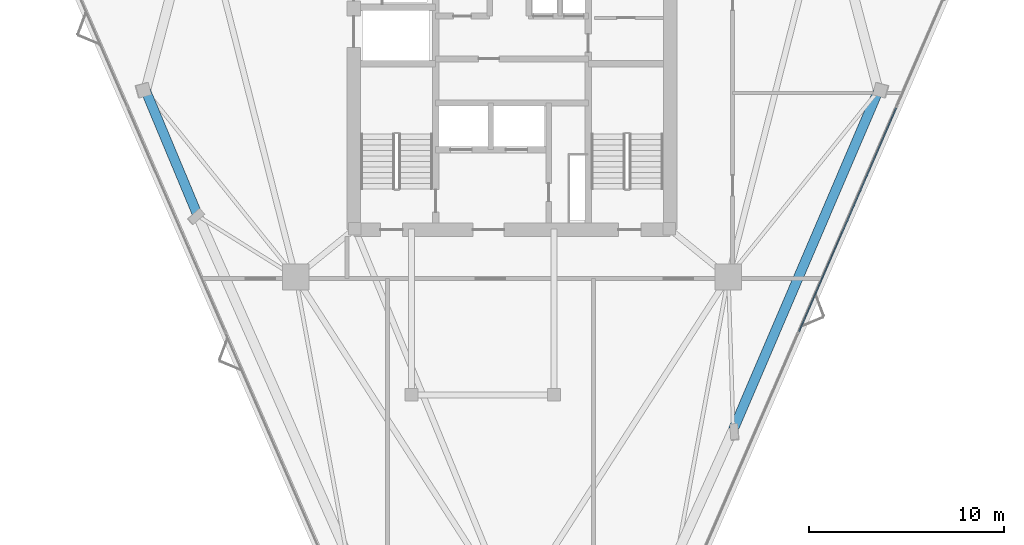
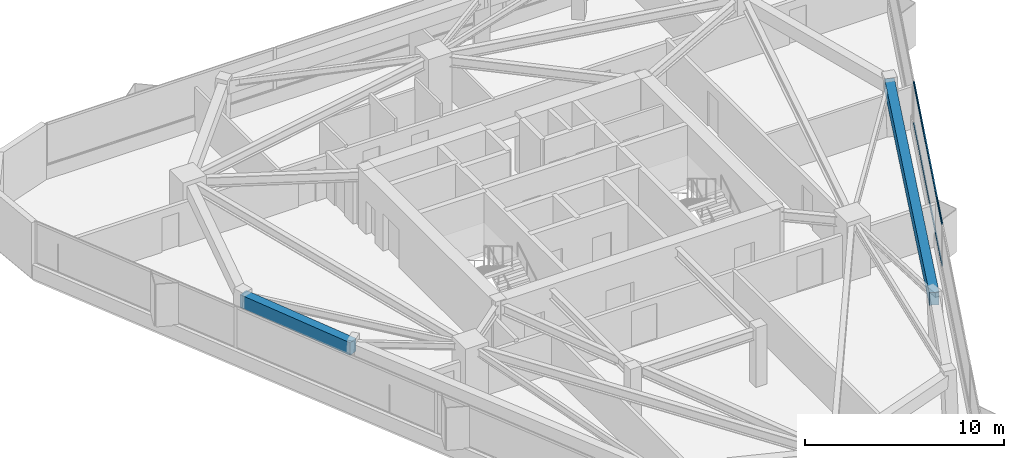
# One storey, part 5 of 12: 2 beams, 2 members, 1 element without a shape of its own.
"""IFC4 building model written with IfcOpenShell, lengths in metres."""

from ifc_helpers import new_model, si_unit, direction, frame, origin, origin_2d, place, context, subcontext, project, spatial, rectangle, extrude, material, layer, layer_set, material_profile, profile_set, type_object, element, aggregate, save


model = new_model("IFC4")

# Units and contexts
model_context = context("Model", 3, precision=1e-05, world=origin(), true_north=direction((0.0, 1.0)))
body_context = subcontext(model_context, "Body", "Model", "MODEL_VIEW")
ifc_project = project(units=[si_unit("LENGTHUNIT", "METRE"), si_unit("AREAUNIT", "SQUARE_METRE"), si_unit("VOLUMEUNIT", "CUBIC_METRE"), si_unit("PLANEANGLEUNIT", "RADIAN"), si_unit("MASSUNIT", "GRAM", prefix="KILO")], contexts=[model_context])

# Site, building, storey
site_placement = place(None, origin())
site = spatial("IfcSite", under=ifc_project, at=site_placement, CompositionType="ELEMENT")
building_placement = place(site_placement, origin())
building = spatial("IfcBuilding", under=site, at=building_placement, Name="Talyreon Biosciences Tower", CompositionType="ELEMENT")
storey_placement = place(building_placement, frame((0.0, 0.0, 215.89990234375)))
storey = spatial("IfcBuildingStorey", under=building, at=storey_placement, Name="L57", CompositionType="ELEMENT", Elevation=215.89990234375)

# Curtain wall, members
ifc_material_1 = material(Name="Thermally broken aluminium and low-E glazing", Category="aluminium")
ifc_layer = layer(ifc_material_1, 0.179931640625)
ifc_layer_set = layer_set([ifc_layer], Name="Thermally broken aluminium and low-E glazing")
curtain_wall_type = type_object("IfcCurtainWallType", Name="CurtainWall_Zone4Optical", PredefinedType="NOTDEFINED", material=ifc_layer_set)
curtain_wall_placement = place(storey_placement, origin())
curtain_wall = element("IfcCurtainWall", 1, at=curtain_wall_placement, inside=storey, type_object=curtain_wall_type, Name="L57 Unitised Curtain Wall FCW-L57-08", PredefinedType="NOTDEFINED")
ifc_material_2 = material(Name="Anodised thermally broken aluminium", Category="aluminium")
ifc_material_profile_1 = material_profile(ifc_material_2, rectangle(XDim=0.06494140625, YDim=0.139892578125, at=origin_2d()), Name="ALUM TRANSOM 65x140")
ifc_profile_set_1 = profile_set([ifc_material_profile_1], Name="Anodised thermally broken aluminium")
member_type = type_object("IfcMemberType", Name="CWTransom_65x140", PredefinedType="USERDEFINED", material=ifc_profile_set_1)
member_1_placement = place(storey_placement, frame((85.683349609375, 67.536865234375, 0.842529296875), z_axis=(-0.39837717116, -0.917221690486, 0.0), x_axis=(0.917221690486, -0.39837717116, 0.0)))
member_1 = element("IfcMember", 2, at=member_1_placement, type_object=member_type, Name="CW5 transom 2.1", ObjectType="TRANSOM", PredefinedType="USERDEFINED", context=body_context, shape_type="SweptSolid", body=[
    extrude(rectangle(XDim=0.06494140625, YDim=0.139892578125, at=origin_2d()), origin(), (0.0, 0.0, 1.0), 12.48583984375),
])
member_2_placement = place(storey_placement, frame((85.683349609375, 67.536865234375, 3.36767578125), z_axis=(-0.39837717116, -0.917221690486, 0.0), x_axis=(0.917221690486, -0.39837717116, 0.0)))
member_2 = element("IfcMember", 3, at=member_2_placement, type_object=member_type, Name="CW5 transom 2.2", ObjectType="TRANSOM", PredefinedType="USERDEFINED", context=body_context, shape_type="SweptSolid", body=[
    extrude(rectangle(XDim=0.06494140625, YDim=0.139892578125, at=origin_2d()), origin(), (0.0, 0.0, 1.0), 12.48583984375),
])
aggregate(curtain_wall, [member_1, member_2])

# Beams
ifc_material_3 = material(Name="Precast concrete C45/55", Category="concrete")
ifc_material_profile_2 = material_profile(ifc_material_3, rectangle(XDim=0.5, YDim=0.780029296875, at=origin_2d()), Name="RCB 500x780")
ifc_profile_set_2 = profile_set([ifc_material_profile_2], Name="Precast concrete C45/55")
beam_type = type_object("IfcBeamType", Name="ExpressedSpandrel_500x780", PredefinedType="SPANDREL", material=ifc_profile_set_2)
beam_1_placement = place(storey_placement, frame((77.3349609375, 51.05517578125, 3.010009765625), z_axis=(0.393436005461, 0.919352005277, 0.0), x_axis=(-0.919352005277, 0.393436005461, 0.0)))
element("IfcBeam", 4, at=beam_1_placement, inside=storey, type_object=beam_type, Name="L57 Expressed Horizontal Concrete Spandrel 03", PredefinedType="SPANDREL", context=body_context, shape_type="SweptSolid", body=[
    extrude(rectangle(XDim=0.5, YDim=0.780029296875, at=origin_2d()), origin(), (0.0, 0.0, 1.0), 18.902099609375),
])
beam_2_placement = place(storey_placement, frame((47.228271484375, 68.432861328125, 3.010009765625), z_axis=(0.385075818543, -0.92288494081, 0.0), x_axis=(0.92288494081, 0.385075818543, 0.0)))
element("IfcBeam", 5, at=beam_2_placement, inside=storey, type_object=beam_type, Name="L57 Expressed Horizontal Concrete Spandrel 10", PredefinedType="SPANDREL", context=body_context, shape_type="SweptSolid", body=[
    extrude(rectangle(XDim=0.5, YDim=0.780029296875, at=origin_2d()), origin(), (0.0, 0.0, 1.0), 6.964599609375),
])

save(model, "model.ifc")
